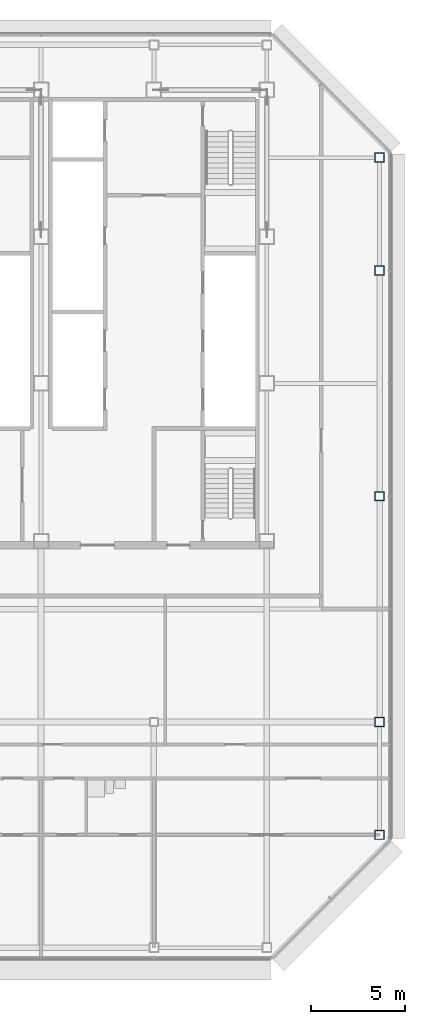
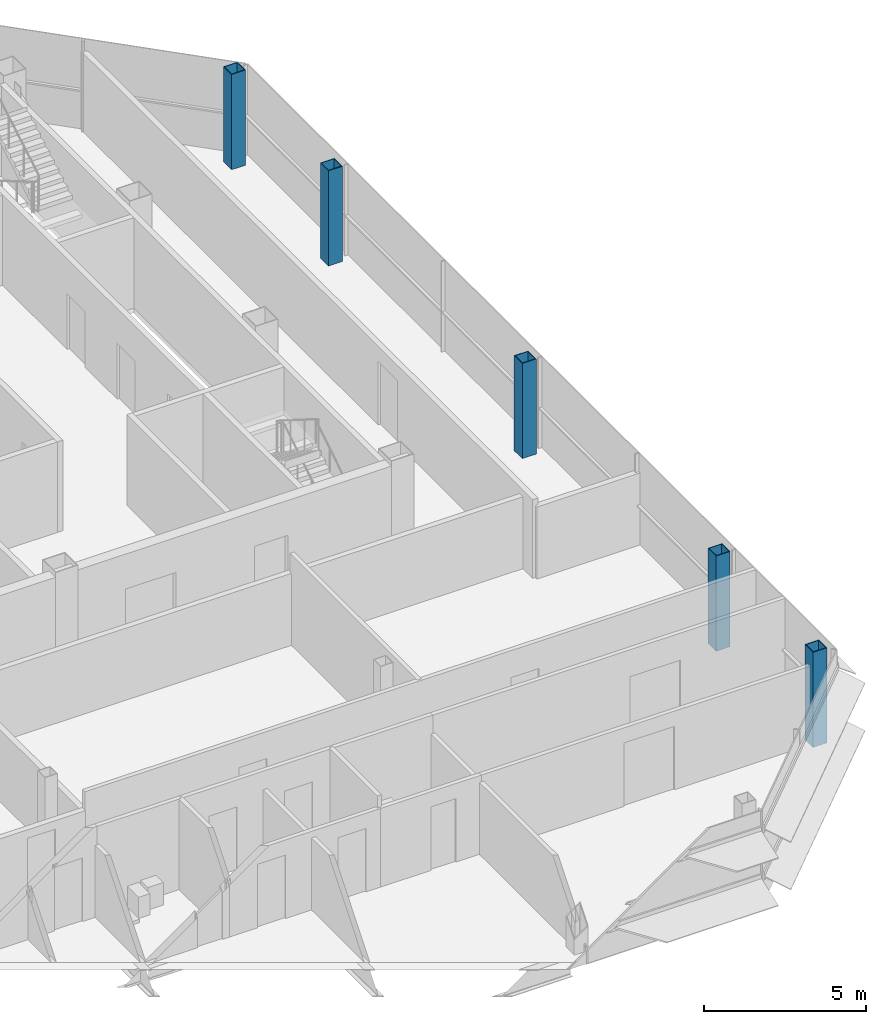
# One storey, part 3 of 28: 5 columns.
"""IFC4 building model written with IfcOpenShell, lengths in metres."""

from ifc_helpers import new_model, si_unit, direction, frame, origin, origin_2d, place, context, subcontext, project, spatial, hollow_rectangle, extrude, material, material_profile, profile_set, type_object, element, save


model = new_model("IFC4")

# Units and contexts
model_context = context("Model", 3, precision=1e-05, world=origin(), true_north=direction((0.0, 1.0)))
body_context = subcontext(model_context, "Body", "Model", "MODEL_VIEW")
ifc_project = project(units=[si_unit("LENGTHUNIT", "METRE"), si_unit("AREAUNIT", "SQUARE_METRE"), si_unit("VOLUMEUNIT", "CUBIC_METRE"), si_unit("PLANEANGLEUNIT", "RADIAN"), si_unit("MASSUNIT", "GRAM", prefix="KILO")], contexts=[model_context])

# Site, building, storey
site_placement = place(None, origin())
site = spatial("IfcSite", under=ifc_project, at=site_placement, CompositionType="ELEMENT")
building_placement = place(site_placement, origin())
building = spatial("IfcBuilding", under=site, at=building_placement, Name="Sorahane Residences", CompositionType="ELEMENT")
storey_placement = place(building_placement, frame((0.0, 0.0, 308.800048828125)))
storey = spatial("IfcBuildingStorey", under=building, at=storey_placement, Name="L73", CompositionType="ELEMENT", Elevation=308.800048828125)

# Columns
ifc_material = material(Name="Steel Q355B", Category="steel")
ifc_material_profile = material_profile(ifc_material, hollow_rectangle(XDim=0.5, YDim=0.5, WallThickness=0.02490234375, at=origin_2d()), Name="BOX 500x500x25")
ifc_profile_set = profile_set([ifc_material_profile], Name="Steel Q355B")
column_type = type_object("IfcColumnType", Name="Steel box column BOX 500x500x25 Q355B", PredefinedType="COLUMN", material=ifc_profile_set)
for number, where, z_axis, x_axis, name in (
    (1, (48.0, 6.0, 0.0), (0.0, 0.0, 1.0), (1.0, 0.0, 0.0), "Column L73 48/6"),
    (2, (48.0, 12.0, 0.0), (0.0, 0.0, 1.0), (1.0, 0.0, 0.0), "Column L73 48/12"),
    (3, (48.0, 24.0, 0.0), (0.0, 0.0, 1.0), (1.0, 0.0, 0.0), "Column L73 48/24"),
    (4, (48.0, 36.0, 0.0), (0.0, 0.0, 1.0), (1.0, 0.0, 0.0), "Column L73 48/36"),
    (5, (48.0, 42.0, 0.0), (0.0, 0.0, 1.0), (1.0, 0.0, 0.0), "Column L73 48/42"),
):
    element("IfcColumn", number, at=place(storey_placement, frame(where, z_axis=z_axis, x_axis=x_axis)), inside=storey, type_object=column_type, Name=name, PredefinedType="COLUMN", context=body_context, shape_type="SweptSolid", body=[
        extrude(hollow_rectangle(XDim=0.5, YDim=0.5, WallThickness=0.02490234375, at=origin_2d()), origin(), (0.0, 0.0, 1.0), 3.599853515625),
    ])

save(model, "model.ifc")
